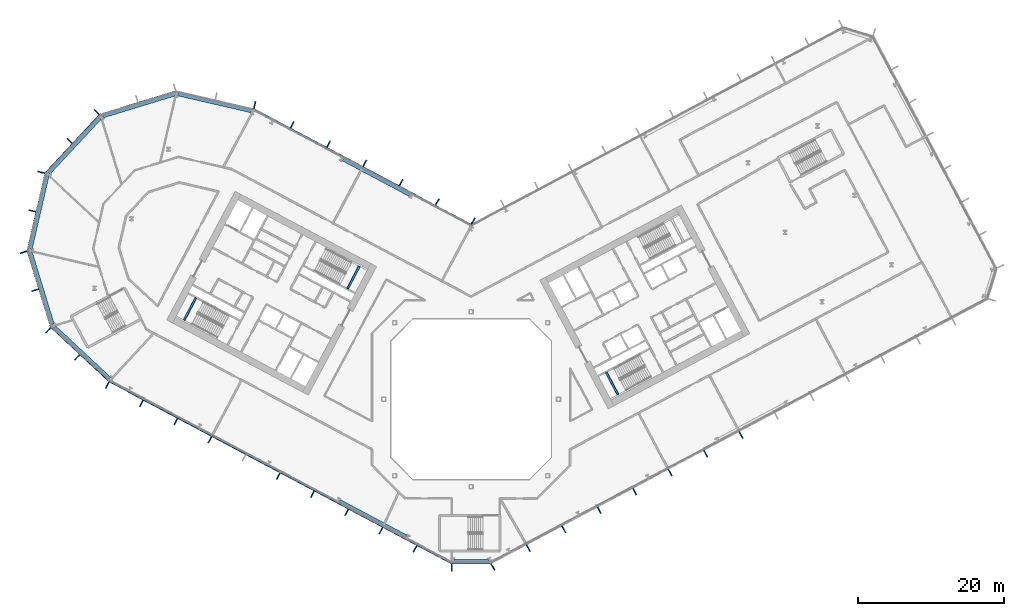
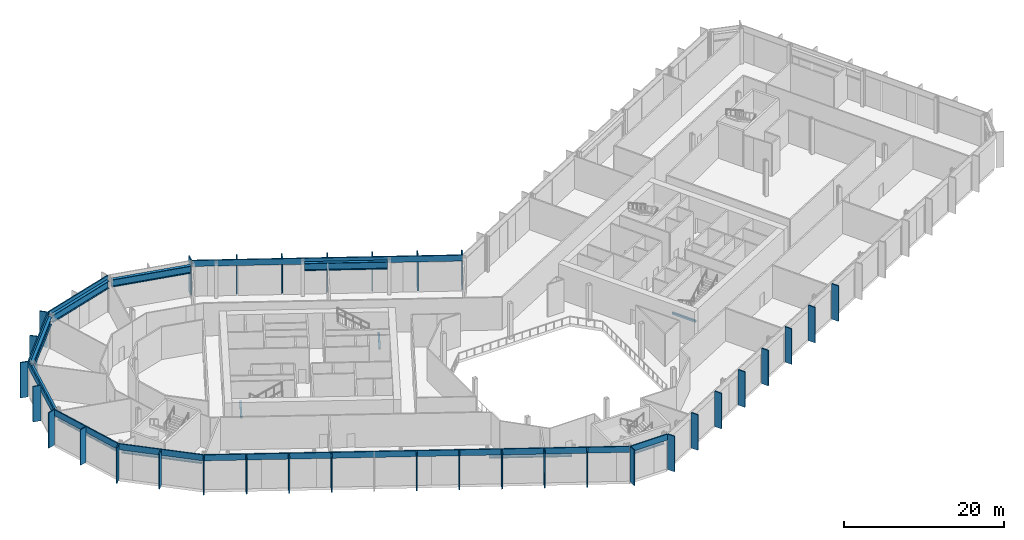
# One storey, part 6 of 31: 41 members, 12 beams, 10 elements without a shape of their own.
"""IFC4 building model written with IfcOpenShell, lengths in metres."""

from ifc_helpers import new_model, si_unit, direction, frame, origin, origin_2d, place, context, subcontext, project, spatial, rectangle, i_section, extrude, material, layer, layer_set, material_profile, profile_set, type_object, element, aggregate, save


model = new_model("IFC4")

# Units and contexts
model_context = context("Model", 3, precision=1e-05, world=origin(), true_north=direction((0.0, 1.0)))
body_context = subcontext(model_context, "Body", "Model", "MODEL_VIEW")
ifc_project = project(units=[si_unit("LENGTHUNIT", "METRE"), si_unit("AREAUNIT", "SQUARE_METRE"), si_unit("VOLUMEUNIT", "CUBIC_METRE"), si_unit("PLANEANGLEUNIT", "RADIAN"), si_unit("MASSUNIT", "GRAM", prefix="KILO")], contexts=[model_context])

# Site, building, storey
site_placement = place(None, origin())
site = spatial("IfcSite", under=ifc_project, at=site_placement, CompositionType="ELEMENT")
building_placement = place(site_placement, origin())
building = spatial("IfcBuilding", under=site, at=building_placement, Name="Cormorant Relay Tower", CompositionType="ELEMENT")
storey_placement = place(building_placement, frame((0.0, 0.0, 50.0)))
storey = spatial("IfcBuildingStorey", under=building, at=storey_placement, Name="L09", CompositionType="ELEMENT", Elevation=50.0)

# Curtain wall, member
ifc_material_1 = material(Name="Aluminium 6063-T6 anodised bronze", Category="aluminium")
ifc_layer = layer(ifc_material_1, 0.235107421875)
ifc_layer_set = layer_set([ifc_layer], Name="CW6 data hall curtain wall with mineral wool panels")
curtain_wall_type = type_object("IfcCurtainWallType", Name="CW6 data hall curtain wall with mineral wool panels", PredefinedType="NOTDEFINED", material=ifc_layer_set)
curtain_wall_1_placement = place(storey_placement, origin())
curtain_wall_1 = element("IfcCurtainWall", 1, at=curtain_wall_1_placement, inside=storey, type_object=curtain_wall_type, Name="CW6 curtain wall 1", PredefinedType="NOTDEFINED")
ifc_material_2 = material(Name="Aluminium 6063-T6 anodised bronze", Category="aluminium")
ifc_material_profile_1 = material_profile(ifc_material_2, rectangle(XDim=0.14990234375, YDim=1.0, at=origin_2d()), Name="AL 150x1000")
ifc_profile_set_1 = profile_set([ifc_material_profile_1], Name="Aluminium 6063-T6 anodised bronze")
member_type_1 = type_object("IfcMemberType", Name="CW6 bronze fin mullion 150 x 1000", PredefinedType="MULLION", material=ifc_profile_set_1)
member_1_placement = place(storey_placement, frame((-2.648681640625, -23.110595703125, 0.0), z_axis=(0.0, 0.0, 1.0), x_axis=(1.0, 0.0, 0.0)))
member_1 = element("IfcMember", 2, at=member_1_placement, type_object=member_type_1, Name="CW6 fin 1.1", PredefinedType="MULLION", context=body_context, shape_type="SweptSolid", body=[
    extrude(rectangle(XDim=0.14990234375, YDim=1.0, at=origin_2d()), origin(), (0.0, 0.0, 1.0), 5.39990234375),
])

# Curtain wall, members
curtain_wall_2_placement = place(storey_placement, origin())
curtain_wall_2 = element("IfcCurtainWall", 3, at=curtain_wall_2_placement, inside=storey, type_object=curtain_wall_type, Name="CW6 curtain wall 2", PredefinedType="NOTDEFINED")
member_2_placement = place(storey_placement, frame((2.993896484375, -23.0244140625, 0.0), z_axis=(0.0, 0.0, 1.0), x_axis=(0.882947592859, 0.469471562786, 0.0)))
member_2 = element("IfcMember", 4, at=member_2_placement, type_object=member_type_1, Name="CW6 fin 2.1", PredefinedType="MULLION", context=body_context, shape_type="SweptSolid", body=[
    extrude(rectangle(XDim=0.14990234375, YDim=1.0, at=origin_2d()), origin(), (0.0, 0.0, 1.0), 5.39990234375),
])
member_3_placement = place(storey_placement, frame((7.860595703125, -20.43701171875, 0.0), z_axis=(0.0, 0.0, 1.0), x_axis=(0.882947592859, 0.469471562786, 0.0)))
member_3 = element("IfcMember", 5, at=member_3_placement, type_object=member_type_1, Name="CW6 fin 2.2", PredefinedType="MULLION", context=body_context, shape_type="SweptSolid", body=[
    extrude(rectangle(XDim=0.14990234375, YDim=1.0, at=origin_2d()), origin(), (0.0, 0.0, 1.0), 5.39990234375),
])
member_4_placement = place(storey_placement, frame((12.727294921875, -17.84912109375, 0.0), z_axis=(0.0, 0.0, 1.0), x_axis=(0.882947592859, 0.469471562786, 0.0)))
member_4 = element("IfcMember", 6, at=member_4_placement, type_object=member_type_1, Name="CW6 fin 2.3", PredefinedType="MULLION", context=body_context, shape_type="SweptSolid", body=[
    extrude(rectangle(XDim=0.14990234375, YDim=1.0, at=origin_2d()), origin(), (0.0, 0.0, 1.0), 5.39990234375),
])
member_5_placement = place(storey_placement, frame((17.593994140625, -15.26171875, 0.0), z_axis=(0.0, 0.0, 1.0), x_axis=(0.882947592859, 0.469471562786, 0.0)))
member_5 = element("IfcMember", 7, at=member_5_placement, type_object=member_type_1, Name="CW6 fin 2.4", PredefinedType="MULLION", context=body_context, shape_type="SweptSolid", body=[
    extrude(rectangle(XDim=0.14990234375, YDim=1.0, at=origin_2d()), origin(), (0.0, 0.0, 1.0), 5.39990234375),
])
member_6_placement = place(storey_placement, frame((22.460693359375, -12.673828125, 0.0), z_axis=(0.0, 0.0, 1.0), x_axis=(0.882947592859, 0.469471562786, 0.0)))
member_6 = element("IfcMember", 8, at=member_6_placement, type_object=member_type_1, Name="CW6 fin 2.5", PredefinedType="MULLION", context=body_context, shape_type="SweptSolid", body=[
    extrude(rectangle(XDim=0.14990234375, YDim=1.0, at=origin_2d()), origin(), (0.0, 0.0, 1.0), 5.39990234375),
])
member_7_placement = place(storey_placement, frame((27.327392578125, -10.086181640625, 0.0), z_axis=(0.0, 0.0, 1.0), x_axis=(0.882947592859, 0.469471562786, 0.0)))
member_7 = element("IfcMember", 9, at=member_7_placement, type_object=member_type_1, Name="CW6 fin 2.6", PredefinedType="MULLION", context=body_context, shape_type="SweptSolid", body=[
    extrude(rectangle(XDim=0.14990234375, YDim=1.0, at=origin_2d()), origin(), (0.0, 0.0, 1.0), 5.39990234375),
])
member_8_placement = place(storey_placement, frame((32.194091796875, -7.49853515625, 0.0), z_axis=(0.0, 0.0, 1.0), x_axis=(0.882947592859, 0.469471562786, 0.0)))
member_8 = element("IfcMember", 10, at=member_8_placement, type_object=member_type_1, Name="CW6 fin 2.7", PredefinedType="MULLION", context=body_context, shape_type="SweptSolid", body=[
    extrude(rectangle(XDim=0.14990234375, YDim=1.0, at=origin_2d()), origin(), (0.0, 0.0, 1.0), 5.39990234375),
])
member_9_placement = place(storey_placement, frame((37.060546875, -4.910888671875, 0.0), z_axis=(0.0, 0.0, 1.0), x_axis=(0.882947592859, 0.469471562786, 0.0)))
member_9 = element("IfcMember", 11, at=member_9_placement, type_object=member_type_1, Name="CW6 fin 2.8", PredefinedType="MULLION", context=body_context, shape_type="SweptSolid", body=[
    extrude(rectangle(XDim=0.14990234375, YDim=1.0, at=origin_2d()), origin(), (0.0, 0.0, 1.0), 5.39990234375),
])
aggregate(curtain_wall_2, [member_2, member_3, member_4, member_5, member_6, member_7, member_8, member_9])

curtain_wall_3_placement = place(storey_placement, origin())
curtain_wall_3 = element("IfcCurtainWall", 12, at=curtain_wall_3_placement, inside=storey, type_object=curtain_wall_type, Name="CW6 curtain wall 7", PredefinedType="NOTDEFINED")
member_10_placement = place(storey_placement, frame((0.27880859375, 24.468017578125, 0.0), z_axis=(0.0, 0.0, 1.0), x_axis=(-0.882947592859, 0.469471562786, 0.0)))
member_10 = element("IfcMember", 13, at=member_10_placement, type_object=member_type_1, Name="CW6 fin 7.1", PredefinedType="MULLION", context=body_context, shape_type="SweptSolid", body=[
    extrude(rectangle(XDim=0.14990234375, YDim=1.0, at=origin_2d()), origin(), (0.0, 0.0, 1.0), 5.39990234375),
])
member_11_placement = place(storey_placement, frame((-4.6337890625, 27.080322265625, 0.0), z_axis=(0.0, 0.0, 1.0), x_axis=(-0.882947592859, 0.469471562786, 0.0)))
member_11 = element("IfcMember", 14, at=member_11_placement, type_object=member_type_1, Name="CW6 fin 7.2", PredefinedType="MULLION", context=body_context, shape_type="SweptSolid", body=[
    extrude(rectangle(XDim=0.14990234375, YDim=1.0, at=origin_2d()), origin(), (0.0, 0.0, 1.0), 5.39990234375),
])
member_12_placement = place(storey_placement, frame((-9.61279296875, 29.727783203125, 0.0), z_axis=(0.0, 0.0, 1.0), x_axis=(-0.882947592859, 0.469471562786, 0.0)))
member_12 = element("IfcMember", 15, at=member_12_placement, type_object=member_type_1, Name="CW6 fin 7.3", PredefinedType="MULLION", context=body_context, shape_type="SweptSolid", body=[
    extrude(rectangle(XDim=0.14990234375, YDim=1.0, at=origin_2d()), origin(), (0.0, 0.0, 1.0), 5.39990234375),
])
member_13_placement = place(storey_placement, frame((-14.591796875, 32.375, 0.0), z_axis=(0.0, 0.0, 1.0), x_axis=(-0.882947592859, 0.469471562786, 0.0)))
member_13 = element("IfcMember", 16, at=member_13_placement, type_object=member_type_1, Name="CW6 fin 7.4", PredefinedType="MULLION", context=body_context, shape_type="SweptSolid", body=[
    extrude(rectangle(XDim=0.14990234375, YDim=1.0, at=origin_2d()), origin(), (0.0, 0.0, 1.0), 5.39990234375),
])
member_14_placement = place(storey_placement, frame((-19.57080078125, 35.0224609375, 0.0), z_axis=(0.0, 0.0, 1.0), x_axis=(-0.882947592859, 0.469471562786, 0.0)))
member_14 = element("IfcMember", 17, at=member_14_placement, type_object=member_type_1, Name="CW6 fin 7.5", PredefinedType="MULLION", context=body_context, shape_type="SweptSolid", body=[
    extrude(rectangle(XDim=0.14990234375, YDim=1.0, at=origin_2d()), origin(), (0.0, 0.0, 1.0), 5.39990234375),
])
member_15_placement = place(storey_placement, frame((-24.5498046875, 37.669677734375, 0.0), z_axis=(0.0, 0.0, 1.0), x_axis=(-0.882947592859, 0.469471562786, 0.0)))
member_15 = element("IfcMember", 18, at=member_15_placement, type_object=member_type_1, Name="CW6 fin 7.6", PredefinedType="MULLION", context=body_context, shape_type="SweptSolid", body=[
    extrude(rectangle(XDim=0.14990234375, YDim=1.0, at=origin_2d()), origin(), (0.0, 0.0, 1.0), 5.39990234375),
])

# Curtain wall, member
curtain_wall_4_placement = place(storey_placement, origin())
curtain_wall_4 = element("IfcCurtainWall", 19, at=curtain_wall_4_placement, inside=storey, type_object=curtain_wall_type, Name="CW6 curtain wall 8", PredefinedType="NOTDEFINED")
member_16_placement = place(storey_placement, frame((-29.70849609375, 40.38427734375, 0.0), z_axis=(0.0, 0.0, 1.0), x_axis=(-0.974370064785, 0.224951054344, 0.0)))
member_16 = element("IfcMember", 20, at=member_16_placement, type_object=member_type_1, Name="CW6 fin 8.1", PredefinedType="MULLION", context=body_context, shape_type="SweptSolid", body=[
    extrude(rectangle(XDim=0.14990234375, YDim=1.0, at=origin_2d()), origin(), (0.0, 0.0, 1.0), 5.39990234375),
])
aggregate(curtain_wall_4, [member_16])

# Curtain wall, members
curtain_wall_5_placement = place(storey_placement, origin())
curtain_wall_5 = element("IfcCurtainWall", 21, at=curtain_wall_5_placement, inside=storey, type_object=curtain_wall_type, Name="CW6 curtain wall 10", PredefinedType="NOTDEFINED")
member_17_placement = place(storey_placement, frame((-51.3984375, 39.4365234375, 0.0), z_axis=(0.0, 0.0, 1.0), x_axis=(-0.681998360062, -0.731353701619, 0.0)))
member_17 = element("IfcMember", 22, at=member_17_placement, type_object=member_type_1, Name="CW6 fin 10.1", PredefinedType="MULLION", context=body_context, shape_type="SweptSolid", body=[
    extrude(rectangle(XDim=0.14990234375, YDim=1.0, at=origin_2d()), origin(), (0.0, 0.0, 1.0), 5.39990234375),
])
member_18_placement = place(storey_placement, frame((-55.105224609375, 35.46142578125, 0.0), z_axis=(0.0, 0.0, 1.0), x_axis=(-0.681998360062, -0.731353701619, 0.0)))
member_18 = element("IfcMember", 23, at=member_18_placement, type_object=member_type_1, Name="CW6 fin 10.2", PredefinedType="MULLION", context=body_context, shape_type="SweptSolid", body=[
    extrude(rectangle(XDim=0.14990234375, YDim=1.0, at=origin_2d()), origin(), (0.0, 0.0, 1.0), 5.39990234375),
])

curtain_wall_6_placement = place(storey_placement, origin())
curtain_wall_6 = element("IfcCurtainWall", 24, at=curtain_wall_6_placement, inside=storey, type_object=curtain_wall_type, Name="CW6 curtain wall 11", PredefinedType="NOTDEFINED")
member_19_placement = place(storey_placement, frame((-58.99072265625, 31.150390625, 0.0), z_axis=(0.0, 0.0, 1.0), x_axis=(-0.224951054344, -0.974370064785, 0.0)))
member_19 = element("IfcMember", 25, at=member_19_placement, type_object=member_type_1, Name="CW6 fin 11.1", PredefinedType="MULLION", context=body_context, shape_type="SweptSolid", body=[
    extrude(rectangle(XDim=0.14990234375, YDim=1.0, at=origin_2d()), origin(), (0.0, 0.0, 1.0), 5.39990234375),
])
member_20_placement = place(storey_placement, frame((-60.21337890625, 25.8544921875, 0.0), z_axis=(0.0, 0.0, 1.0), x_axis=(-0.224951054344, -0.974370064785, 0.0)))
member_20 = element("IfcMember", 26, at=member_20_placement, type_object=member_type_1, Name="CW6 fin 11.2", PredefinedType="MULLION", context=body_context, shape_type="SweptSolid", body=[
    extrude(rectangle(XDim=0.14990234375, YDim=1.0, at=origin_2d()), origin(), (0.0, 0.0, 1.0), 5.39990234375),
])

curtain_wall_7_placement = place(storey_placement, origin())
curtain_wall_7 = element("IfcCurtainWall", 27, at=curtain_wall_7_placement, inside=storey, type_object=curtain_wall_type, Name="CW6 curtain wall 12", PredefinedType="NOTDEFINED")
member_21_placement = place(storey_placement, frame((-61.422607421875, 20.178466796875, 0.0), z_axis=(0.0, 0.0, 1.0), x_axis=(0.292371704723, -0.956304755963, 0.0)))
member_21 = element("IfcMember", 28, at=member_21_placement, type_object=member_type_1, Name="CW6 fin 12.1", PredefinedType="MULLION", context=body_context, shape_type="SweptSolid", body=[
    extrude(rectangle(XDim=0.14990234375, YDim=1.0, at=origin_2d()), origin(), (0.0, 0.0, 1.0), 5.39990234375),
])
member_22_placement = place(storey_placement, frame((-59.83349609375, 14.980712890625, 0.0), z_axis=(0.0, 0.0, 1.0), x_axis=(0.292371704723, -0.956304755963, 0.0)))
member_22 = element("IfcMember", 29, at=member_22_placement, type_object=member_type_1, Name="CW6 fin 12.2", PredefinedType="MULLION", context=body_context, shape_type="SweptSolid", body=[
    extrude(rectangle(XDim=0.14990234375, YDim=1.0, at=origin_2d()), origin(), (0.0, 0.0, 1.0), 5.39990234375),
])

curtain_wall_8_placement = place(storey_placement, origin())
curtain_wall_8 = element("IfcCurtainWall", 30, at=curtain_wall_8_placement, inside=storey, type_object=curtain_wall_type, Name="CW6 curtain wall 13", PredefinedType="NOTDEFINED")
member_23_placement = place(storey_placement, frame((-58.04296875, 9.46044921875, 0.0), z_axis=(0.0, 0.0, 1.0), x_axis=(0.731353701619, -0.681998360062, 0.0)))
member_23 = element("IfcMember", 31, at=member_23_placement, type_object=member_type_1, Name="CW6 fin 13.1", PredefinedType="MULLION", context=body_context, shape_type="SweptSolid", body=[
    extrude(rectangle(XDim=0.14990234375, YDim=1.0, at=origin_2d()), origin(), (0.0, 0.0, 1.0), 5.39990234375),
])
member_24_placement = place(storey_placement, frame((-54.06787109375, 5.753662109375, 0.0), z_axis=(0.0, 0.0, 1.0), x_axis=(0.731353701619, -0.681998360062, 0.0)))
member_24 = element("IfcMember", 32, at=member_24_placement, type_object=member_type_1, Name="CW6 fin 13.2", PredefinedType="MULLION", context=body_context, shape_type="SweptSolid", body=[
    extrude(rectangle(XDim=0.14990234375, YDim=1.0, at=origin_2d()), origin(), (0.0, 0.0, 1.0), 5.39990234375),
])

curtain_wall_9_placement = place(storey_placement, origin())
curtain_wall_9 = element("IfcCurtainWall", 33, at=curtain_wall_9_placement, inside=storey, type_object=curtain_wall_type, Name="CW6 curtain wall 14", PredefinedType="NOTDEFINED")
member_25_placement = place(storey_placement, frame((-49.9365234375, 1.935302734375, 0.0), z_axis=(0.0, 0.0, 1.0), x_axis=(0.882947592859, -0.469471562786, 0.0)))
member_25 = element("IfcMember", 34, at=member_25_placement, type_object=member_type_1, Name="CW6 fin 14.1", PredefinedType="MULLION", context=body_context, shape_type="SweptSolid", body=[
    extrude(rectangle(XDim=0.14990234375, YDim=1.0, at=origin_2d()), origin(), (0.0, 0.0, 1.0), 5.39990234375),
])
member_26_placement = place(storey_placement, frame((-45.2421875, -0.560546875, 0.0), z_axis=(0.0, 0.0, 1.0), x_axis=(0.882947592859, -0.469471562786, 0.0)))
member_26 = element("IfcMember", 35, at=member_26_placement, type_object=member_type_1, Name="CW6 fin 14.2", PredefinedType="MULLION", context=body_context, shape_type="SweptSolid", body=[
    extrude(rectangle(XDim=0.14990234375, YDim=1.0, at=origin_2d()), origin(), (0.0, 0.0, 1.0), 5.39990234375),
])
member_27_placement = place(storey_placement, frame((-40.548095703125, -3.056640625, 0.0), z_axis=(0.0, 0.0, 1.0), x_axis=(0.882947592859, -0.469471562786, 0.0)))
member_27 = element("IfcMember", 36, at=member_27_placement, type_object=member_type_1, Name="CW6 fin 14.3", PredefinedType="MULLION", context=body_context, shape_type="SweptSolid", body=[
    extrude(rectangle(XDim=0.14990234375, YDim=1.0, at=origin_2d()), origin(), (0.0, 0.0, 1.0), 5.39990234375),
])
member_28_placement = place(storey_placement, frame((-35.853759765625, -5.552490234375, 0.0), z_axis=(0.0, 0.0, 1.0), x_axis=(0.882947592859, -0.469471562786, 0.0)))
member_28 = element("IfcMember", 37, at=member_28_placement, type_object=member_type_1, Name="CW6 fin 14.4", PredefinedType="MULLION", context=body_context, shape_type="SweptSolid", body=[
    extrude(rectangle(XDim=0.14990234375, YDim=1.0, at=origin_2d()), origin(), (0.0, 0.0, 1.0), 5.39990234375),
])
member_29_placement = place(storey_placement, frame((-26.46533203125, -10.544677734375, 0.0), z_axis=(0.0, 0.0, 1.0), x_axis=(0.882947592859, -0.469471562786, 0.0)))
member_29 = element("IfcMember", 38, at=member_29_placement, type_object=member_type_1, Name="CW6 fin 14.6", PredefinedType="MULLION", context=body_context, shape_type="SweptSolid", body=[
    extrude(rectangle(XDim=0.14990234375, YDim=1.0, at=origin_2d()), origin(), (0.0, 0.0, 1.0), 5.39990234375),
])
member_30_placement = place(storey_placement, frame((-21.77099609375, -13.04052734375, 0.0), z_axis=(0.0, 0.0, 1.0), x_axis=(0.882947592859, -0.469471562786, 0.0)))
member_30 = element("IfcMember", 39, at=member_30_placement, type_object=member_type_1, Name="CW6 fin 14.7", PredefinedType="MULLION", context=body_context, shape_type="SweptSolid", body=[
    extrude(rectangle(XDim=0.14990234375, YDim=1.0, at=origin_2d()), origin(), (0.0, 0.0, 1.0), 5.39990234375),
])
member_31_placement = place(storey_placement, frame((-17.07666015625, -15.53662109375, 0.0), z_axis=(0.0, 0.0, 1.0), x_axis=(0.882947592859, -0.469471562786, 0.0)))
member_31 = element("IfcMember", 40, at=member_31_placement, type_object=member_type_1, Name="CW6 fin 14.8", PredefinedType="MULLION", context=body_context, shape_type="SweptSolid", body=[
    extrude(rectangle(XDim=0.14990234375, YDim=1.0, at=origin_2d()), origin(), (0.0, 0.0, 1.0), 5.39990234375),
])
member_32_placement = place(storey_placement, frame((-12.38232421875, -18.032470703125, 0.0), z_axis=(0.0, 0.0, 1.0), x_axis=(0.882947592859, -0.469471562786, 0.0)))
member_32 = element("IfcMember", 41, at=member_32_placement, type_object=member_type_1, Name="CW6 fin 14.9", PredefinedType="MULLION", context=body_context, shape_type="SweptSolid", body=[
    extrude(rectangle(XDim=0.14990234375, YDim=1.0, at=origin_2d()), origin(), (0.0, 0.0, 1.0), 5.39990234375),
])
member_33_placement = place(storey_placement, frame((-7.688232421875, -20.528564453125, 0.0), z_axis=(0.0, 0.0, 1.0), x_axis=(0.882947592859, -0.469471562786, 0.0)))
member_33 = element("IfcMember", 42, at=member_33_placement, type_object=member_type_1, Name="CW6 fin 14.10", PredefinedType="MULLION", context=body_context, shape_type="SweptSolid", body=[
    extrude(rectangle(XDim=0.14990234375, YDim=1.0, at=origin_2d()), origin(), (0.0, 0.0, 1.0), 5.39990234375),
])

# Member
ifc_material_3 = material(Name="Aluminium 6063-T6 anodised bronze", Category="aluminium")
ifc_material_profile_2 = material_profile(ifc_material_3, rectangle(XDim=0.159912109375, YDim=0.89990234375, at=origin_2d()), Name="AL 160x900")
ifc_profile_set_2 = profile_set([ifc_material_profile_2], Name="Aluminium 6063-T6 anodised bronze")
member_type_2 = type_object("IfcMemberType", Name="CW6 bronze transom 160 x 900", PredefinedType="USERDEFINED", material=ifc_profile_set_2)
member_34_placement = place(storey_placement, frame((-2.648681640625, -22.530517578125, 4.949951171875), z_axis=(1.0, 0.0, 0.0), x_axis=(0.0, 1.0, 0.0)))
member_34 = element("IfcMember", 43, at=member_34_placement, type_object=member_type_2, Name="CW6 transom 1", ObjectType="TRANSOM", PredefinedType="USERDEFINED", context=body_context, shape_type="SweptSolid", body=[
    extrude(rectangle(XDim=0.159912109375, YDim=0.89990234375, at=origin_2d()), origin(), (0.0, 0.0, 1.0), 5.29736328125),
])

aggregate(curtain_wall_1, [member_1, member_34])

member_35_placement = place(storey_placement, frame((0.07275390625, 23.9208984375, 4.949951171875), z_axis=(-0.882949271414, 0.46946840587, 0.0), x_axis=(-0.46946840587, -0.882949271414, 0.0)))
member_35 = element("IfcMember", 44, at=member_35_placement, type_object=member_type_2, Name="CW6 transom 7", ObjectType="TRANSOM", PredefinedType="USERDEFINED", context=body_context, shape_type="SweptSolid", body=[
    extrude(rectangle(XDim=0.159912109375, YDim=0.89990234375, at=origin_2d()), origin(), (0.0, 0.0, 1.0), 33.833984375),
])

aggregate(curtain_wall_3, [member_10, member_11, member_12, member_13, member_14, member_15, member_35])

# Curtain wall, member
curtain_wall_10_placement = place(storey_placement, origin())
curtain_wall_10 = element("IfcCurtainWall", 45, at=curtain_wall_10_placement, inside=storey, type_object=curtain_wall_type, Name="CW6 curtain wall 9", PredefinedType="NOTDEFINED")
member_36_placement = place(storey_placement, frame((-40.5107421875, 42.26171875, 4.949951171875), z_axis=(-0.956304833932, -0.292371449698, 0.0), x_axis=(0.292371449698, -0.956304833932, 0.0)))
member_36 = element("IfcMember", 46, at=member_36_placement, type_object=member_type_2, Name="CW6 transom 9", ObjectType="TRANSOM", PredefinedType="USERDEFINED", context=body_context, shape_type="SweptSolid", body=[
    extrude(rectangle(XDim=0.159912109375, YDim=0.89990234375, at=origin_2d()), origin(), (0.0, 0.0, 1.0), 10.87060546875),
])
aggregate(curtain_wall_10, [member_36])

# Member
member_37_placement = place(storey_placement, frame((-50.974365234375, 39.041015625, 4.949951171875), z_axis=(-0.681993299437, -0.731358420696, 0.0), x_axis=(0.731358420696, -0.681993299437, 0.0)))
member_37 = element("IfcMember", 47, at=member_37_placement, type_object=member_type_2, Name="CW6 transom 10", ObjectType="TRANSOM", PredefinedType="USERDEFINED", context=body_context, shape_type="SweptSolid", body=[
    extrude(rectangle(XDim=0.159912109375, YDim=0.89990234375, at=origin_2d()), origin(), (0.0, 0.0, 1.0), 10.870361328125),
])

aggregate(curtain_wall_5, [member_17, member_18, member_37])

member_38_placement = place(storey_placement, frame((-58.425537109375, 31.02001953125, 4.949951171875), z_axis=(-0.22495136131, -0.974369993916, 0.0), x_axis=(0.974369993916, -0.22495136131, 0.0)))
member_38 = element("IfcMember", 48, at=member_38_placement, type_object=member_type_2, Name="CW6 transom 11", ObjectType="TRANSOM", PredefinedType="USERDEFINED", context=body_context, shape_type="SweptSolid", body=[
    extrude(rectangle(XDim=0.159912109375, YDim=0.89990234375, at=origin_2d()), origin(), (0.0, 0.0, 1.0), 10.870361328125),
])

aggregate(curtain_wall_6, [member_19, member_20, member_38])

member_39_placement = place(storey_placement, frame((-60.8681640625, 20.347900390625, 4.949951171875), z_axis=(0.292377729282, -0.95630291405, 0.0), x_axis=(0.95630291405, 0.292377729282, 0.0)))
member_39 = element("IfcMember", 49, at=member_39_placement, type_object=member_type_2, Name="CW6 transom 12", ObjectType="TRANSOM", PredefinedType="USERDEFINED", context=body_context, shape_type="SweptSolid", body=[
    extrude(rectangle(XDim=0.159912109375, YDim=0.89990234375, at=origin_2d()), origin(), (0.0, 0.0, 1.0), 10.870361328125),
])

aggregate(curtain_wall_7, [member_21, member_22, member_39])

member_40_placement = place(storey_placement, frame((-57.6474609375, 9.884521484375, 4.949951171875), z_axis=(0.731358420696, -0.681993299437, 0.0), x_axis=(0.681993299437, 0.731358420696, 0.0)))
member_40 = element("IfcMember", 50, at=member_40_placement, type_object=member_type_2, Name="CW6 transom 13", ObjectType="TRANSOM", PredefinedType="USERDEFINED", context=body_context, shape_type="SweptSolid", body=[
    extrude(rectangle(XDim=0.159912109375, YDim=0.89990234375, at=origin_2d()), origin(), (0.0, 0.0, 1.0), 10.870361328125),
])

aggregate(curtain_wall_8, [member_23, member_24, member_40])

member_41_placement = place(storey_placement, frame((-49.664306640625, 2.447509765625, 4.949951171875), z_axis=(0.882946630435, -0.469473372838, 0.0), x_axis=(0.469473372838, 0.882946630435, 0.0)))
member_41 = element("IfcMember", 51, at=member_41_placement, type_object=member_type_2, Name="CW6 transom 14", ObjectType="TRANSOM", PredefinedType="USERDEFINED", context=body_context, shape_type="SweptSolid", body=[
    extrude(rectangle(XDim=0.159912109375, YDim=0.89990234375, at=origin_2d()), origin(), (0.0, 0.0, 1.0), 53.165771484375),
])

aggregate(curtain_wall_9, [member_25, member_26, member_27, member_28, member_29, member_30, member_31, member_32, member_33, member_41])

# Beams
ifc_material_4 = material(Name="Steel ASTM A992 (Fy 345 MPa)", Category="steel")
ifc_material_profile_3 = material_profile(ifc_material_4, i_section(OverallWidth=0.408935546875, OverallDepth=1.137939453125, WebThickness=0.031005859375, FlangeThickness=0.05517578125, FilletRadius=0.02001953125, at=origin_2d()), Name="W1100x607")
ifc_profile_set_3 = profile_set([ifc_material_profile_3], Name="Steel ASTM A992 (Fy 345 MPa)")
beam_type_1 = type_object("IfcBeamType", Name="Spandrel W1100x607", PredefinedType="SPANDREL", material=ifc_profile_set_3)
beam_1_placement = place(storey_placement, frame((-2.331787109375, -22.171142578125, 4.381103515625), z_axis=(1.0, 0.0, 0.0), x_axis=(0.0, 1.0, 0.0)))
element("IfcBeam", 52, at=beam_1_placement, inside=storey, type_object=beam_type_1, Name="Spandrel beam L09-001", PredefinedType="SPANDREL", context=body_context, shape_type="SweptSolid", body=[
    extrude(i_section(OverallWidth=0.408935546875, OverallDepth=1.137939453125, WebThickness=0.031005859375, FlangeThickness=0.05517578125, FilletRadius=0.02001953125, at=origin_2d()), origin(), (0.0, 0.0, 1.0), 4.71533203125),
])
beam_2_placement = place(storey_placement, frame((-8.442138671875, 28.041015625, 4.381103515625), z_axis=(-0.882941792792, 0.469482470963, 0.0), x_axis=(-0.469482470963, -0.882941792792, 0.0)))
element("IfcBeam", 53, at=beam_2_placement, inside=storey, type_object=beam_type_1, Name="Spandrel beam L09-007", PredefinedType="SPANDREL", context=body_context, shape_type="SweptSolid", body=[
    extrude(i_section(OverallWidth=0.408935546875, OverallDepth=1.137939453125, WebThickness=0.031005859375, FlangeThickness=0.05517578125, FilletRadius=0.02001953125, at=origin_2d()), origin(), (0.0, 0.0, 1.0), 10.363037109375),
])
beam_3_placement = place(storey_placement, frame((-30.184814453125, 39.530029296875, 4.381103515625), z_axis=(-0.974369683491, 0.224952705905, 0.0), x_axis=(-0.224952705905, -0.974369683491, 0.0)))
element("IfcBeam", 54, at=beam_3_placement, inside=storey, type_object=beam_type_1, Name="Spandrel beam L09-008", PredefinedType="SPANDREL", context=body_context, shape_type="SweptSolid", body=[
    extrude(i_section(OverallWidth=0.408935546875, OverallDepth=1.137939453125, WebThickness=0.031005859375, FlangeThickness=0.05517578125, FilletRadius=0.02001953125, at=origin_2d()), origin(), (0.0, 0.0, 1.0), 10.3310546875),
])
beam_4_placement = place(storey_placement, frame((-40.716796875, 41.82275390625, 4.381103515625), z_axis=(-0.956304908485, -0.292371205845, 0.0), x_axis=(0.292371205845, -0.956304908485, 0.0)))
element("IfcBeam", 55, at=beam_4_placement, inside=storey, type_object=beam_type_1, Name="Spandrel beam L09-009", PredefinedType="SPANDREL", context=body_context, shape_type="SweptSolid", body=[
    extrude(i_section(OverallWidth=0.408935546875, OverallDepth=1.137939453125, WebThickness=0.031005859375, FlangeThickness=0.05517578125, FilletRadius=0.02001953125, at=origin_2d()), origin(), (0.0, 0.0, 1.0), 10.278564453125),
])
beam_5_placement = place(storey_placement, frame((-50.93359375, 38.557373046875, 4.381103515625), z_axis=(-0.682005863937, -0.731346704071, 0.0), x_axis=(0.731346704071, -0.682005863937, 0.0)))
element("IfcBeam", 56, at=beam_5_placement, inside=storey, type_object=beam_type_1, Name="Spandrel beam L09-010", PredefinedType="SPANDREL", context=body_context, shape_type="SweptSolid", body=[
    extrude(i_section(OverallWidth=0.408935546875, OverallDepth=1.137939453125, WebThickness=0.031005859375, FlangeThickness=0.05517578125, FilletRadius=0.02001953125, at=origin_2d()), origin(), (0.0, 0.0, 1.0), 10.277099609375),
])
beam_6_placement = place(storey_placement, frame((-58.1484375, 30.6220703125, 4.381103515625), z_axis=(-0.224956659484, -0.97436877072, 0.0), x_axis=(0.97436877072, -0.224956659484, 0.0)))
element("IfcBeam", 57, at=beam_6_placement, inside=storey, type_object=beam_type_1, Name="Spandrel beam L09-011", PredefinedType="SPANDREL", context=body_context, shape_type="SweptSolid", body=[
    extrude(i_section(OverallWidth=0.408935546875, OverallDepth=1.137939453125, WebThickness=0.031005859375, FlangeThickness=0.05517578125, FilletRadius=0.02001953125, at=origin_2d()), origin(), (0.0, 0.0, 1.0), 10.277587890625),
])
beam_7_placement = place(storey_placement, frame((-60.42919921875, 20.14208984375, 4.381103515625), z_axis=(0.292364564847, -0.956306938813, 0.0), x_axis=(0.956306938813, 0.292364564847, 0.0)))
element("IfcBeam", 58, at=beam_7_placement, inside=storey, type_object=beam_type_1, Name="Spandrel beam L09-012", PredefinedType="SPANDREL", context=body_context, shape_type="SweptSolid", body=[
    extrude(i_section(OverallWidth=0.408935546875, OverallDepth=1.137939453125, WebThickness=0.031005859375, FlangeThickness=0.05517578125, FilletRadius=0.02001953125, at=origin_2d()), origin(), (0.0, 0.0, 1.0), 10.27880859375),
])
beam_8_placement = place(storey_placement, frame((-57.163818359375, 9.925048828125, 4.381103515625), z_axis=(0.731361805756, -0.681989669336, 0.0), x_axis=(0.681989669336, 0.731361805756, 0.0)))
element("IfcBeam", 59, at=beam_8_placement, inside=storey, type_object=beam_type_1, Name="Spandrel beam L09-013", PredefinedType="SPANDREL", context=body_context, shape_type="SweptSolid", body=[
    extrude(i_section(OverallWidth=0.408935546875, OverallDepth=1.137939453125, WebThickness=0.031005859375, FlangeThickness=0.05517578125, FilletRadius=0.02001953125, at=origin_2d()), origin(), (0.0, 0.0, 1.0), 10.30029296875),
])
beam_9_placement = place(storey_placement, frame((-18.04638671875, -13.95703125, 4.381103515625), z_axis=(0.882942412403, -0.469481305677, 0.0), x_axis=(0.469481305677, 0.882942412403, 0.0)))
element("IfcBeam", 60, at=beam_9_placement, inside=storey, type_object=beam_type_1, Name="Spandrel beam L09-014", PredefinedType="SPANDREL", context=body_context, shape_type="SweptSolid", body=[
    extrude(i_section(OverallWidth=0.408935546875, OverallDepth=1.137939453125, WebThickness=0.031005859375, FlangeThickness=0.05517578125, FilletRadius=0.02001953125, at=origin_2d()), origin(), (0.0, 0.0, 1.0), 10.363525390625),
])
ifc_material_5 = material(Name="Concrete 50 MPa", Category="concrete")
ifc_material_profile_4 = material_profile(ifc_material_5, rectangle(XDim=0.25, YDim=0.300048828125, at=origin_2d()), Name="RC 250x300")
ifc_profile_set_4 = profile_set([ifc_material_profile_4], Name="Concrete 50 MPa")
beam_type_2 = type_object("IfcBeamType", Name="Stair landing ledge beam 250x300", PredefinedType="BEAM", material=ifc_profile_set_4)
for number, where, z_axis, x_axis, name in (
    (61, (-16.9677734375, 15.1943359375, 2.35009765625), (0.469463917486, 0.882951657895, 0.0), (-0.882951657895, 0.469463917486, 0.0), "A1 landing ledge beam"),
    (62, (-37.77490234375, 13.912841796875, 2.35009765625), (-0.469519084434, -0.88292232351, 0.0), (0.88292232351, -0.469519084434, 0.0), "A2 landing ledge beam"),
    (63, (18.55322265625, 3.6923828125, 2.35009765625), (0.469463917486, -0.882951657895, 0.0), (0.882951657895, 0.469463917486, 0.0), "B1 landing ledge beam"),
):
    element("IfcBeam", number, at=place(storey_placement, frame(where, z_axis=z_axis, x_axis=x_axis)), inside=storey, type_object=beam_type_2, Name=name, PredefinedType="BEAM", context=body_context, shape_type="SweptSolid", body=[
        extrude(rectangle(XDim=0.25, YDim=0.300048828125, at=origin_2d()), origin(), (0.0, 0.0, 1.0), 3.449951171875),
    ])

save(model, "model.ifc")
